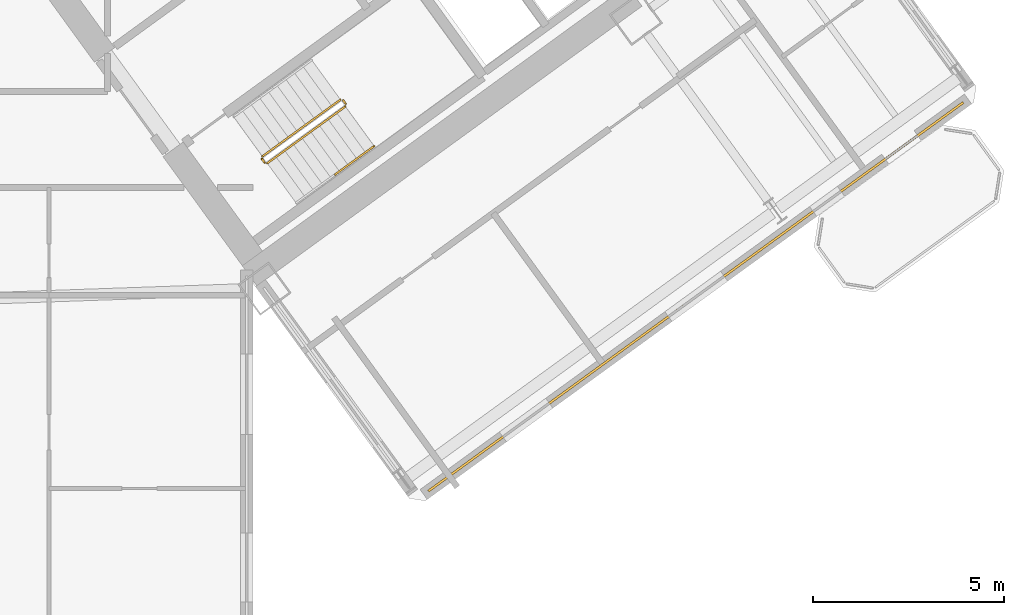
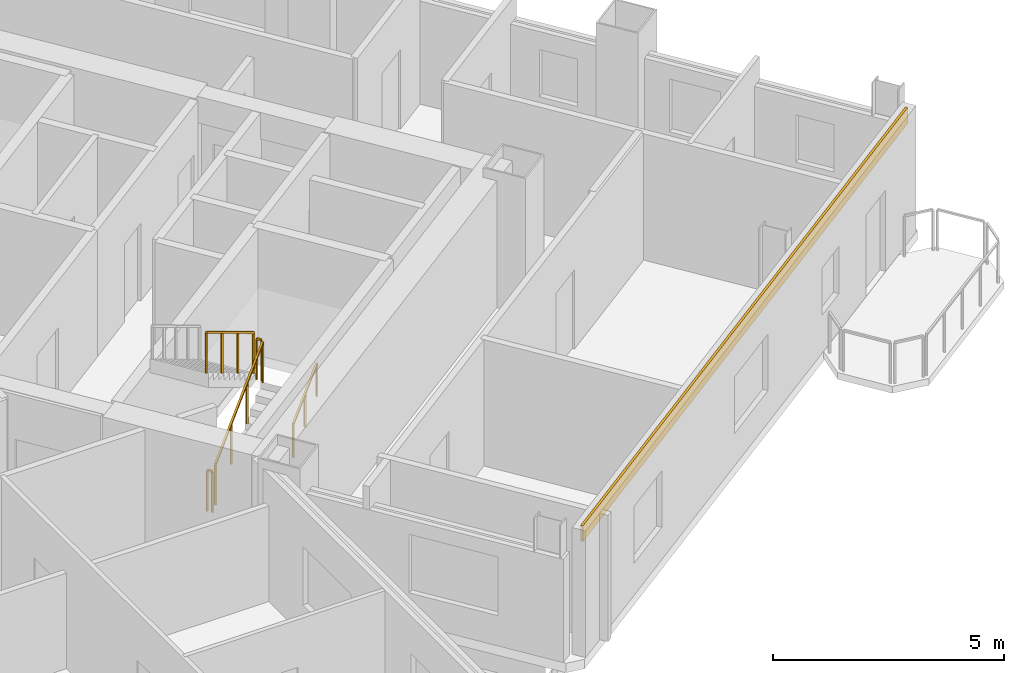
# One storey, part 26 of 28: 5 railings, 1 covering.
"""IFC4 building model written with IfcOpenShell, lengths in metres."""

from ifc_helpers import new_model, si_unit, direction, frame, origin, origin_2d, place, context, subcontext, project, spatial, rectangle, extrude, source, transform, mapped, material, layer, layer_set, type_object, element, save


model = new_model("IFC4")

# Units and contexts
model_context = context("Model", 3, precision=1e-05, world=origin(), true_north=direction((0.0, 1.0)))
body_context = subcontext(model_context, "Body", "Model", "MODEL_VIEW")
ifc_project = project(units=[si_unit("LENGTHUNIT", "METRE"), si_unit("AREAUNIT", "SQUARE_METRE"), si_unit("VOLUMEUNIT", "CUBIC_METRE"), si_unit("PLANEANGLEUNIT", "RADIAN"), si_unit("MASSUNIT", "GRAM", prefix="KILO")], contexts=[model_context])

# Site, building, storey
site_placement = place(None, origin())
site = spatial("IfcSite", under=ifc_project, at=site_placement, CompositionType="ELEMENT")
building_placement = place(site_placement, origin())
building = spatial("IfcBuilding", under=site, at=building_placement, Name="Tlacorven Tower", CompositionType="ELEMENT")
storey_placement = place(building_placement, frame((0.0, 0.0, 56.39990234375)))
storey = spatial("IfcBuildingStorey", under=building, at=storey_placement, Name="L14", CompositionType="ELEMENT", Elevation=56.39990234375)

# Covering
ifc_material_1 = material(Name="Precast concrete C45/55", Category="concrete")
ifc_layer = layer(ifc_material_1, 0.06005859375)
ifc_layer_set = layer_set([ifc_layer], Name="Precast concrete C45/55")
covering_type = type_object("IfcCoveringType", Name="CV-CLD-TERC", PredefinedType="CLADDING", material=ifc_layer_set)
shared_shape_1 = source(origin(), body_context, "Body", "SweptSolid", [
    extrude(rectangle(XDim=17.287353515625, YDim=0.06005859375, at=origin_2d()), origin(), (0.0, 0.0, 1.0), 0.419921875),
])
covering_placement = place(storey_placement, frame((63.9833984375, 12.562255859375, 2.93017578125), z_axis=(0.0, 0.0, 1.0), x_axis=(-0.809017097486, -0.587785110372, 0.0)))
element("IfcCovering", 1, at=covering_placement, inside=storey, type_object=covering_type, Name="L14 Masonry-Frame Spandrel Cladding 6", PredefinedType="CLADDING", context=body_context, shape_type="MappedRepresentation", body=[
    mapped(shared_shape_1, transform((0.0, 0.0, 0.0), scale=1.0)),
])

# Railings
ifc_material_2 = material(Name="Aluminium and painted steel balustrade", Category="steel")
railing_type_1 = type_object("IfcRailingType", Name="RL-GRD-1100", PredefinedType="GUARDRAIL", material=ifc_material_2)
shared_shape_2 = source(origin(), body_context, "Body", "SweptSolid", [
    extrude(rectangle(XDim=0.048095703125, YDim=0.048095703125, at=origin_2d()), frame((0.0, 0.0, 1.076171875), z_axis=(-0.587567097037, 0.809175448515, 0.0), x_axis=(-0.809175448515, -0.587567097037, 0.0)), (0.0, 0.0, 1.0), 0.1201171875),
    extrude(rectangle(XDim=0.0419921875, YDim=0.0419921875, at=origin_2d()), origin(), (0.0, 0.0, 1.0), 1.052001953125),
    extrude(rectangle(XDim=0.0419921875, YDim=0.0419921875, at=origin_2d()), frame((-0.070556640625, 0.09716796875, 0.0)), (0.0, 0.0, 1.0), 1.052001953125),
])
for number, where, name in (
    (2, (54.8310546875, 17.605712890625, 1.800048828125), "L14 ST-E2 stair guard 2"),
    (3, (52.71142578125, 16.065673828125, 0.0), "L14 ST-E2 stair guard 4"),
):
    element("IfcRailing", number, at=place(storey_placement, frame(where)), inside=storey, type_object=railing_type_1, Name=name, PredefinedType="GUARDRAIL", context=body_context, shape_type="MappedRepresentation", body=[
        mapped(shared_shape_2, transform((0.0, 0.0, 0.0), scale=1.0)),
    ])
railing_type_2 = type_object("IfcRailingType", Name="RL-HND-0900", PredefinedType="HANDRAIL", material=ifc_material_2)
shared_shape_3 = source(origin(), body_context, "Body", "SweptSolid", [
    extrude(rectangle(XDim=0.048095703125, YDim=0.048095703125, at=origin_2d()), frame((0.0, 0.0, 0.8759765625), z_axis=(0.680516055757, 0.494372502302, 0.540826891737), x_axis=(-0.587745292299, 0.809046025502, 0.0)), (0.0, 0.0, 1.0), 1.497802734375),
    extrude(rectangle(XDim=0.0419921875, YDim=0.0419921875, at=origin_2d()), origin(), (0.0, 0.0, 1.0), 0.851806640625),
    extrude(rectangle(XDim=0.0419921875, YDim=0.0419921875, at=origin_2d()), frame((0.509765625, 0.3701171875, 0.405029296875)), (0.0, 0.0, 1.0), 0.851806640625),
    extrude(rectangle(XDim=0.0419921875, YDim=0.0419921875, at=origin_2d()), frame((1.019287109375, 0.740478515625, 0.81005859375)), (0.0, 0.0, 1.0), 0.851806640625),
])
railing_1_placement = place(storey_placement, frame((54.552978515625, 15.759765625, 0.989990234375)))
element("IfcRailing", 4, at=railing_1_placement, inside=storey, type_object=railing_type_2, Name="L14 ST-E2 stair handrail 2", PredefinedType="HANDRAIL", context=body_context, shape_type="MappedRepresentation", body=[
    mapped(shared_shape_3, transform((0.0, 0.0, 0.0), scale=1.0)),
])
shared_shape_4 = source(origin(), body_context, "Body", "SweptSolid", [
    extrude(rectangle(XDim=0.048095703125, YDim=0.048095703125, at=origin_2d()), frame((0.0, 0.0, 1.076171875), z_axis=(-0.680532390839, -0.494406659708, 0.54077511024), x_axis=(0.587762637553, -0.809033424462, 0.0)), (0.0, 0.0, 1.0), 2.995849609375),
    extrude(rectangle(XDim=0.0419921875, YDim=0.0419921875, at=origin_2d()), origin(), (0.0, 0.0, 1.0), 1.052001953125),
    extrude(rectangle(XDim=0.0419921875, YDim=0.0419921875, at=origin_2d()), frame((-0.6796875, -0.49365234375, 0.5400390625)), (0.0, 0.0, 1.0), 1.052001953125),
    extrude(rectangle(XDim=0.0419921875, YDim=0.0419921875, at=origin_2d()), frame((-1.359130859375, -0.987548828125, 1.080078125)), (0.0, 0.0, 1.0), 1.052001953125),
    extrude(rectangle(XDim=0.0419921875, YDim=0.0419921875, at=origin_2d()), frame((-2.038818359375, -1.481201171875, 1.6201171875)), (0.0, 0.0, 1.0), 1.052001953125),
])
railing_2_placement = place(storey_placement, frame((54.690673828125, 17.7138671875, 1.97998046875)))
element("IfcRailing", 5, at=railing_2_placement, inside=storey, type_object=railing_type_1, Name="L14 ST-E2 stair guard 3", PredefinedType="GUARDRAIL", context=body_context, shape_type="MappedRepresentation", body=[
    mapped(shared_shape_4, transform((0.0, 0.0, 0.0), scale=1.0)),
])
shared_shape_5 = source(origin(), body_context, "Body", "SweptSolid", [
    extrude(rectangle(XDim=0.048095703125, YDim=0.048095703125, at=origin_2d()), frame((0.0, 0.0, 1.076171875), z_axis=(0.680562380517, 0.494428447203, 0.540717446381), x_axis=(-0.587762637553, 0.809033424462, 0.0)), (0.0, 0.0, 1.0), 2.995849609375),
    extrude(rectangle(XDim=0.0419921875, YDim=0.0419921875, at=origin_2d()), origin(), (0.0, 0.0, 1.0), 1.052001953125),
    extrude(rectangle(XDim=0.0419921875, YDim=0.0419921875, at=origin_2d()), frame((0.6796875, 0.49365234375, 0.5400390625)), (0.0, 0.0, 1.0), 1.052001953125),
    extrude(rectangle(XDim=0.0419921875, YDim=0.0419921875, at=origin_2d()), frame((1.359130859375, 0.987548828125, 1.079833984375)), (0.0, 0.0, 1.0), 1.052001953125),
    extrude(rectangle(XDim=0.0419921875, YDim=0.0419921875, at=origin_2d()), frame((2.038818359375, 1.481201171875, 1.619873046875)), (0.0, 0.0, 1.0), 1.052001953125),
])
railing_3_placement = place(storey_placement, frame((52.78125, 16.0546875, 0.18017578125)))
element("IfcRailing", 6, at=railing_3_placement, inside=storey, type_object=railing_type_1, Name="L14 ST-E2 stair guard 1", PredefinedType="GUARDRAIL", context=body_context, shape_type="MappedRepresentation", body=[
    mapped(shared_shape_5, transform((0.0, 0.0, 0.0), scale=1.0)),
])

save(model, "model.ifc")
